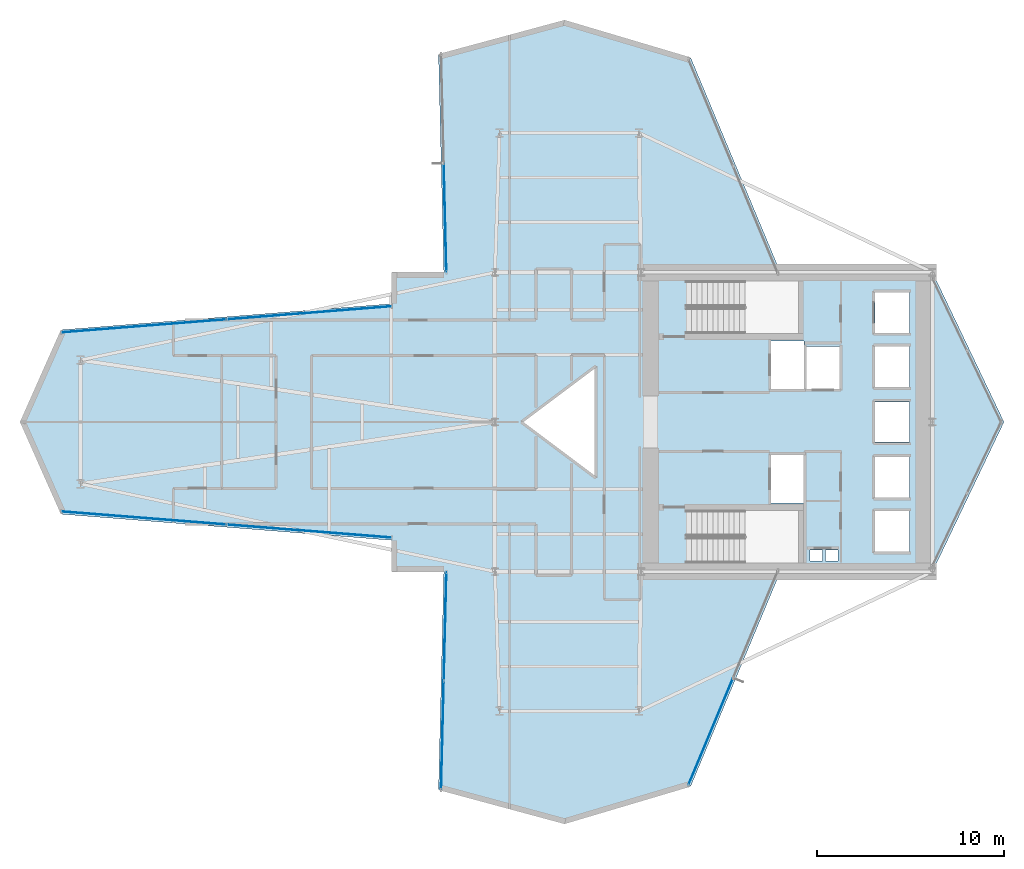
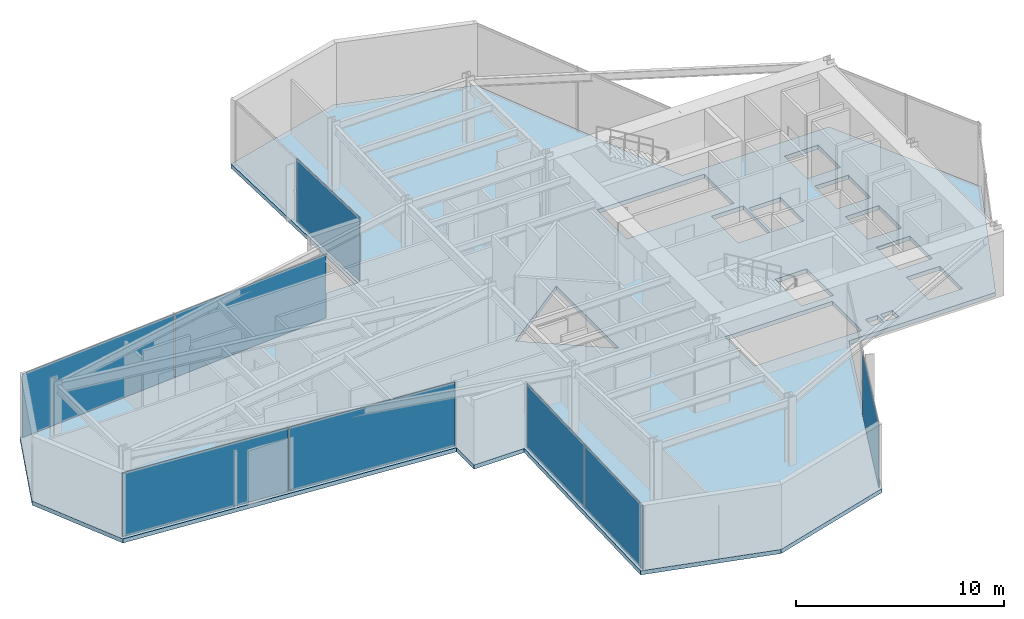
# One storey, part 19 of 24: 8 plates, 1 slab, 5 elements without a shape of their own.
"""IFC4 building model written with IfcOpenShell, lengths in metres."""

from ifc_helpers import new_model, si_unit, direction, frame, origin, origin_2d, place, context, subcontext, project, spatial, polyline, rectangle, outline, extrude, material, layer, layer_set, type_object, element, aggregate, save


model = new_model("IFC4")

# Units and contexts
model_context = context("Model", 3, precision=1e-05, world=origin(), true_north=direction((0.0, 1.0)))
body_context = subcontext(model_context, "Body", "Model", "MODEL_VIEW")
ifc_project = project(units=[si_unit("LENGTHUNIT", "METRE"), si_unit("AREAUNIT", "SQUARE_METRE"), si_unit("VOLUMEUNIT", "CUBIC_METRE"), si_unit("PLANEANGLEUNIT", "RADIAN"), si_unit("MASSUNIT", "GRAM", prefix="KILO")], contexts=[model_context])

# Site, building, storey
site_placement = place(None, origin())
site = spatial("IfcSite", under=ifc_project, at=site_placement, CompositionType="ELEMENT")
building_placement = place(site_placement, origin())
building = spatial("IfcBuilding", under=site, at=building_placement, Name="Veymaron Broadcast Tower", CompositionType="ELEMENT")
storey_placement = place(building_placement, frame((0.0, 0.0, 78.300048828125)))
storey = spatial("IfcBuildingStorey", under=building, at=storey_placement, Name="L17", CompositionType="ELEMENT", Elevation=78.300048828125)

# Curtain wall, plate
ifc_material_1 = material(Name="Anodised aluminium AA 6063-T6 and laminated low-E dark glass", Category="aluminium")
ifc_layer_1 = layer(ifc_material_1, 0.179931640625)
ifc_layer_set_1 = layer_set([ifc_layer_1], Name="Anodised aluminium AA 6063-T6 and laminated low-E dark glass")
curtain_wall_type = type_object("IfcCurtainWallType", Name="CW-SYS-02", PredefinedType="NOTDEFINED", material=ifc_layer_set_1)
curtain_wall_1_placement = place(storey_placement, origin())
curtain_wall_1 = element("IfcCurtainWall", 1, at=curtain_wall_1_placement, inside=storey, type_object=curtain_wall_type, Name="L17 dark-glass curtain wall CW-L17-E8-1", PredefinedType="NOTDEFINED")
ifc_material_2 = material(Name="Double-silver solar-control dark glass IGU 32 mm", Category="glass")
ifc_layer_2 = layer(ifc_material_2, 0.031982421875)
ifc_layer_set_2 = layer_set([ifc_layer_2], Name="Double-silver solar-control dark glass IGU 32 mm")
plate_type = type_object("IfcPlateType", Name="CW-PNL-02", PredefinedType="CURTAIN_PANEL", material=ifc_layer_set_2)
plate_1_placement = place(storey_placement, frame((28.537353515625, 34.919921875, 0.0400390625), z_axis=(0.0, 0.0, 1.0), x_axis=(0.024379833872, -0.999702767677, 0.0)))
plate_1 = element("IfcPlate", 2, at=plate_1_placement, type_object=plate_type, Name="CW-L17-E8-1 unitised curtain panel 1", PredefinedType="CURTAIN_PANEL", context=body_context, shape_type="SweptSolid", body=[
    extrude(rectangle(XDim=5.774658203125, YDim=0.031982421875, at=origin_2d()), origin(), (0.0, 0.0, 1.0), 3.72998046875),
])
aggregate(curtain_wall_1, [plate_1])

# Curtain wall, plates
curtain_wall_2_placement = place(storey_placement, origin())
curtain_wall_2 = element("IfcCurtainWall", 3, at=curtain_wall_2_placement, inside=storey, type_object=curtain_wall_type, Name="L17 dark-glass curtain wall CW-L17-E11-1", PredefinedType="NOTDEFINED")
plate_2_placement = place(storey_placement, frame((21.277099609375, 29.835693359375, 0.0400390625), z_axis=(0.0, 0.0, 1.0), x_axis=(-0.996892635886, -0.078772282668, 0.0)))
plate_2 = element("IfcPlate", 4, at=plate_2_placement, type_object=plate_type, Name="CW-L17-E11-1 unitised curtain panel 0", PredefinedType="CURTAIN_PANEL", context=body_context, shape_type="SweptSolid", body=[
    extrude(rectangle(XDim=8.8115234375, YDim=0.031982421875, at=origin_2d()), origin(), (0.0, 0.0, 1.0), 3.72998046875),
])
plate_3_placement = place(storey_placement, frame((12.43310546875, 29.13671875, 0.0400390625), z_axis=(0.0, 0.0, 1.0), x_axis=(-0.996892635886, -0.078772282668, 0.0)))
plate_3 = element("IfcPlate", 5, at=plate_3_placement, type_object=plate_type, Name="CW-L17-E11-1 unitised curtain panel 1", PredefinedType="CURTAIN_PANEL", context=body_context, shape_type="SweptSolid", body=[
    extrude(rectangle(XDim=8.8115234375, YDim=0.031982421875, at=origin_2d()), origin(), (0.0, 0.0, 1.0), 3.72998046875),
])
aggregate(curtain_wall_2, [plate_2, plate_3])

curtain_wall_3_placement = place(storey_placement, origin())
curtain_wall_3 = element("IfcCurtainWall", 6, at=curtain_wall_3_placement, inside=storey, type_object=curtain_wall_type, Name="L17 dark-glass curtain wall CW-L17-E14-1", PredefinedType="NOTDEFINED")
plate_4_placement = place(storey_placement, frame((12.43310546875, 18.86328125, 0.0400390625), z_axis=(0.0, 0.0, 1.0), x_axis=(0.996892635886, -0.078772282668, 0.0)))
plate_4 = element("IfcPlate", 7, at=plate_4_placement, type_object=plate_type, Name="CW-L17-E14-1 unitised curtain panel 0", PredefinedType="CURTAIN_PANEL", context=body_context, shape_type="SweptSolid", body=[
    extrude(rectangle(XDim=8.8115234375, YDim=0.031982421875, at=origin_2d()), origin(), (0.0, 0.0, 1.0), 3.72998046875),
])
plate_5_placement = place(storey_placement, frame((21.277099609375, 18.164306640625, 0.0400390625), z_axis=(0.0, 0.0, 1.0), x_axis=(0.996892635886, -0.078772282668, 0.0)))
plate_5 = element("IfcPlate", 8, at=plate_5_placement, type_object=plate_type, Name="CW-L17-E14-1 unitised curtain panel 1", PredefinedType="CURTAIN_PANEL", context=body_context, shape_type="SweptSolid", body=[
    extrude(rectangle(XDim=8.8115234375, YDim=0.031982421875, at=origin_2d()), origin(), (0.0, 0.0, 1.0), 3.72998046875),
])
aggregate(curtain_wall_3, [plate_4, plate_5])

curtain_wall_4_placement = place(storey_placement, origin())
curtain_wall_4 = element("IfcCurtainWall", 9, at=curtain_wall_4_placement, inside=storey, type_object=curtain_wall_type, Name="L17 dark-glass curtain wall CW-L17-E17-1", PredefinedType="NOTDEFINED")
plate_6_placement = place(storey_placement, frame((28.537353515625, 13.080078125, 0.0400390625), z_axis=(0.0, 0.0, 1.0), x_axis=(-0.024379833872, -0.999702767677, 0.0)))
plate_6 = element("IfcPlate", 10, at=plate_6_placement, type_object=plate_type, Name="CW-L17-E17-1 unitised curtain panel 0", PredefinedType="CURTAIN_PANEL", context=body_context, shape_type="SweptSolid", body=[
    extrude(rectangle(XDim=5.774658203125, YDim=0.031982421875, at=origin_2d()), origin(), (0.0, 0.0, 1.0), 3.72998046875),
])
plate_7_placement = place(storey_placement, frame((28.39501953125, 7.2470703125, 0.0400390625), z_axis=(0.0, 0.0, 1.0), x_axis=(-0.024379833872, -0.999702767677, 0.0)))
plate_7 = element("IfcPlate", 11, at=plate_7_placement, type_object=plate_type, Name="CW-L17-E17-1 unitised curtain panel 1", PredefinedType="CURTAIN_PANEL", context=body_context, shape_type="SweptSolid", body=[
    extrude(rectangle(XDim=5.774658203125, YDim=0.031982421875, at=origin_2d()), origin(), (0.0, 0.0, 1.0), 3.72998046875),
])
aggregate(curtain_wall_4, [plate_6, plate_7])

# Curtain wall, plate
curtain_wall_5_placement = place(storey_placement, origin())
curtain_wall_5 = element("IfcCurtainWall", 12, at=curtain_wall_5_placement, inside=storey, type_object=curtain_wall_type, Name="L17 dark-glass curtain wall CW-L17-E20-1", PredefinedType="NOTDEFINED")
plate_8_placement = place(storey_placement, frame((42.73828125, 7.44091796875, 0.0400390625), z_axis=(0.0, 0.0, 1.0), x_axis=(0.3854873681, 0.922713113072, 0.0)))
plate_8 = element("IfcPlate", 13, at=plate_8_placement, type_object=plate_type, Name="CW-L17-E20-1 unitised curtain panel 0", PredefinedType="CURTAIN_PANEL", context=body_context, shape_type="SweptSolid", body=[
    extrude(rectangle(XDim=6.1630859375, YDim=0.031982421875, at=origin_2d()), origin(), (0.0, 0.0, 1.0), 3.72998046875),
])
aggregate(curtain_wall_5, [plate_8])

# Slab
ifc_material_3 = material(Name="Concrete C40/50", Category="concrete")
ifc_layer_3 = layer(ifc_material_3, 0.239990234375)
ifc_layer_set_3 = layer_set([ifc_layer_3], Name="Concrete C40/50")
slab_type = type_object("IfcSlabType", Name="SLAB-FS6", PredefinedType="FLOOR", material=ifc_layer_set_3)
slab_placement = place(storey_placement, frame((0.0, 0.0, -0.239990234375)))
element("IfcSlab", 14, at=slab_placement, inside=storey, type_object=slab_type, Name="L17 structural floor slab", PredefinedType="FLOOR", context=body_context, shape_type="SweptSolid", body=[
    extrude(outline(polyline([(46.4658203125, 16.0), (54.60009765625, 16.0), (58.422119140625, 24.0), (54.60009765625, 32.0), (46.4658203125, 32.0), (41.66796875, 43.48388671875), (34.926025390625, 45.486083984375), (28.18408203125, 43.666015625), (28.468505859375, 32.0), (25.68798828125, 32.0), (25.68798828125, 30.32470703125), (8.0, 28.927001953125), (5.81591796875, 24.0), (8.0, 19.072998046875), (25.68798828125, 17.67529296875), (25.68798828125, 16.0), (28.468505859375, 16.0), (28.18408203125, 4.333984375), (34.926025390625, 2.513916015625), (41.66796875, 4.51611328125), (46.4658203125, 16.0)]), holes=[polyline([(45.969970703125, 28.330078125), (47.72998046875, 28.330078125), (47.72998046875, 25.77001953125), (45.969970703125, 25.77001953125), (45.969970703125, 28.330078125)]), polyline([(45.969970703125, 22.22998046875), (47.72998046875, 22.22998046875), (47.72998046875, 19.669921875), (45.969970703125, 19.669921875), (45.969970703125, 22.22998046875)]), polyline([(47.8701171875, 28.030029296875), (49.6298828125, 28.030029296875), (49.6298828125, 25.77001953125), (47.8701171875, 25.77001953125), (47.8701171875, 28.030029296875)]), polyline([(51.52001953125, 30.929931640625), (53.3798828125, 30.929931640625), (53.3798828125, 28.77001953125), (51.52001953125, 28.77001953125), (51.52001953125, 30.929931640625)]), polyline([(51.52001953125, 28.030029296875), (53.3798828125, 28.030029296875), (53.3798828125, 25.8701171875), (51.52001953125, 25.8701171875), (51.52001953125, 28.030029296875)]), polyline([(51.52001953125, 22.1298828125), (53.3798828125, 22.1298828125), (53.3798828125, 19.969970703125), (51.52001953125, 19.969970703125), (51.52001953125, 22.1298828125)]), polyline([(51.52001953125, 25.080078125), (53.3798828125, 25.080078125), (53.3798828125, 22.919921875), (51.52001953125, 22.919921875), (51.52001953125, 25.080078125)]), polyline([(51.52001953125, 19.22998046875), (53.3798828125, 19.22998046875), (53.3798828125, 17.070068359375), (51.52001953125, 17.070068359375), (51.52001953125, 19.22998046875)]), polyline([(48.050048828125, 17.159912109375), (48.719970703125, 17.159912109375), (48.719970703125, 16.56005859375), (48.050048828125, 16.56005859375), (48.050048828125, 17.159912109375)]), polyline([(48.8798828125, 17.159912109375), (49.550048828125, 17.159912109375), (49.550048828125, 16.56005859375), (48.8798828125, 16.56005859375), (48.8798828125, 17.159912109375)]), polyline([(36.60009765625, 27.0), (36.60009765625, 21.0), (32.60009765625, 24.0), (36.60009765625, 27.0)]), polyline([(41.489990234375, 31.550048828125), (47.43994140625, 31.550048828125), (47.43994140625, 28.72998046875), (41.489990234375, 28.72998046875), (41.489990234375, 31.550048828125)]), polyline([(41.489990234375, 19.27001953125), (47.43994140625, 19.27001953125), (47.43994140625, 16.449951171875), (41.489990234375, 16.449951171875), (41.489990234375, 19.27001953125)])]), origin(), (0.0, 0.0, 1.0), 0.239990234375),
])

save(model, "model.ifc")
